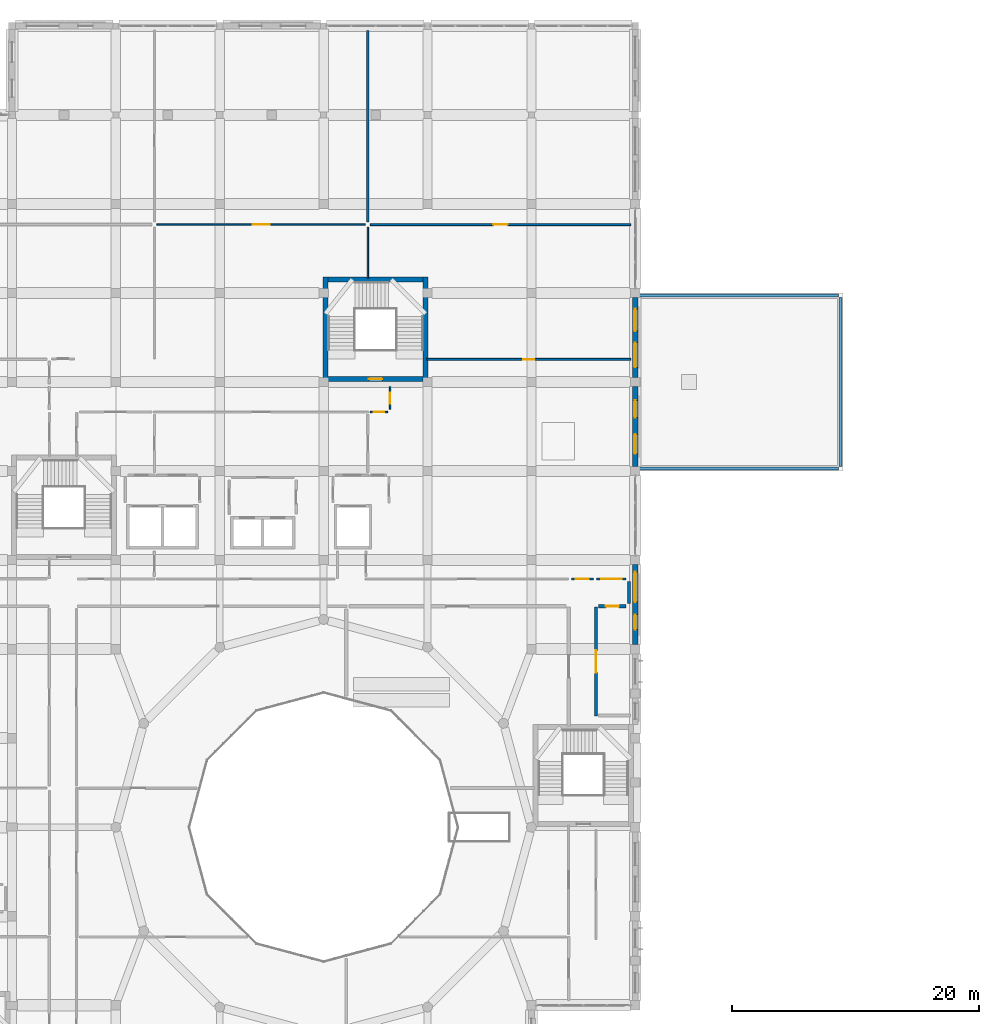
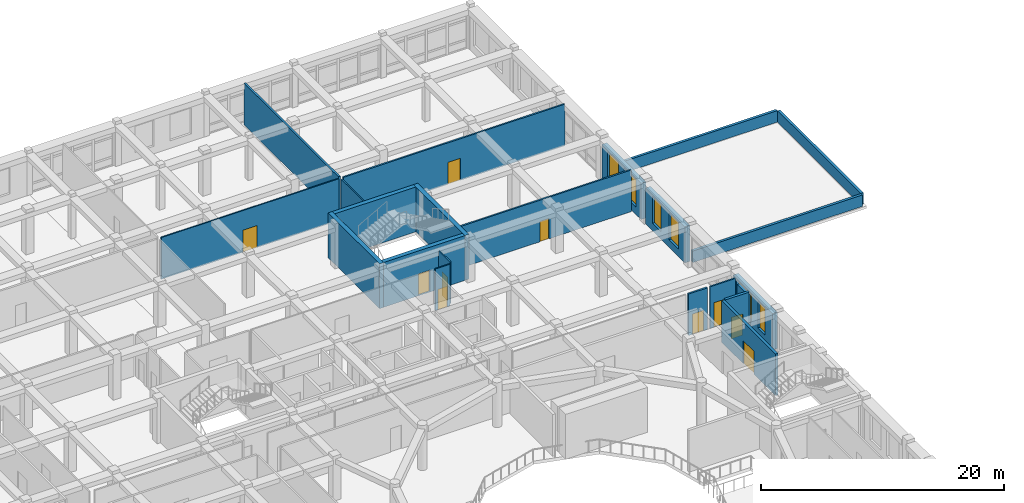
# One storey, part 84 of 121: 22 walls, 10 doors, 6 windows, 16 openings.
"""IFC4 building model written with IfcOpenShell, lengths in metres."""

from ifc_helpers import new_model, si_unit, derived_unit, direction, frame, frame_2d, origin, place, context, subcontext, project, spatial, rectangle, extrude, material, layer, layer_set, type_object, element, fill, save


model = new_model("IFC4")

# Units and contexts
model_context = context("Model", 3, precision=1e-05, world=origin(), true_north=direction((0.0, 1.0)))
body_context = subcontext(model_context, "Body", "Model", "MODEL_VIEW")
ifc_project = project(units=[si_unit("LENGTHUNIT", "METRE"), si_unit("AREAUNIT", "SQUARE_METRE"), si_unit("VOLUMEUNIT", "CUBIC_METRE"), si_unit("PLANEANGLEUNIT", "RADIAN"), si_unit("MASSUNIT", "GRAM", prefix="KILO"), derived_unit("THERMALTRANSMITTANCEUNIT", [(si_unit("POWERUNIT", "WATT"), 1), (si_unit("LENGTHUNIT", "METRE"), -2), (si_unit("THERMODYNAMICTEMPERATUREUNIT", "KELVIN"), -1)])], contexts=[model_context])

# Site, building, storey
site_placement = place(None, origin())
site = spatial("IfcSite", under=ifc_project, at=site_placement, CompositionType="ELEMENT")
building_placement = place(site_placement, origin())
building = spatial("IfcBuilding", under=site, at=building_placement, Name="Veybourne Emporium", CompositionType="ELEMENT")
storey_placement = place(building_placement, frame((0.0, 0.0, 5.39990234375)))
storey = spatial("IfcBuildingStorey", under=building, at=storey_placement, Name="L01", CompositionType="ELEMENT", Elevation=5.39990234375)

# Wall, openings, windows
ifc_material_1 = material(Name="Portland Limestone Ashlar", Category="masonry")
ifc_layer_1 = layer(ifc_material_1, 0.47998046875)
ifc_layer_set_1 = layer_set([ifc_layer_1], Name="Portland Limestone Ashlar")
wall_type_1 = type_object("IfcWallType", Name="ExtWall_EW-01", PredefinedType="SOLIDWALL", material=ifc_layer_set_1)
wall_1_placement = place(storey_placement, frame((100.800048828125, 71.625, 0.0), z_axis=(0.0, 0.0, 1.0), x_axis=(0.0, -1.0, 0.0)))
wall_1 = element("IfcWall", 1, at=wall_1_placement, inside=storey, type_object=wall_type_1, Name="L01 Portland stone external wall 053", PredefinedType="SOLIDWALL", context=body_context, shape_type="SweptSolid", body=[
    extrude(rectangle(XDim=6.449951171875, YDim=0.47998046875, at=frame_2d((3.22509765625, 0.0))), origin(), (0.0, 0.0, 1.0), 3.630126953125),
])
opening_1_placement = place(wall_1_placement, frame((0.5810546875, 0.0, 0.75)))
opening_1 = element("IfcOpeningElement", 2, at=opening_1_placement, cuts=wall_1, Name="Opening W-48", PredefinedType="OPENING", context=body_context, shape_type="SweptSolid", body=[
    extrude(rectangle(XDim=2.449951171875, YDim=2.72998046875, at=frame_2d((1.22509765625, 1.364990234375))), frame((0.0, 0.260009765625, 0.0), z_axis=(0.0, -1.0, 0.0), x_axis=(1.0, 0.0, 0.0)), (0.0, 0.0, 1.0), 0.52001953125),
])
opening_2_placement = place(wall_1_placement, frame((4.0439453125, 0.0, 0.75)))
opening_2 = element("IfcOpeningElement", 3, at=opening_2_placement, cuts=wall_1, Name="Opening W-49", PredefinedType="OPENING", context=body_context, shape_type="SweptSolid", body=[
    extrude(rectangle(XDim=1.199951171875, YDim=2.72998046875, at=frame_2d((0.60009765625, 1.364990234375))), frame((0.0, 0.260009765625, 0.0), z_axis=(0.0, -1.0, 0.0), x_axis=(1.0, 0.0, 0.0)), (0.0, 0.0, 1.0), 0.52001953125),
])
ifc_material_2 = material(Name="Low-E Triple Glazing", Category="glass")
window_type_1 = type_object("IfcWindowType", Name="Win_W-48", PartitioningType="TRIPLE_PANEL_VERTICAL", PredefinedType="WINDOW", material=ifc_material_2)
window_1_placement = place(opening_1_placement, origin())
window_1 = element("IfcWindow", 4, at=window_1_placement, inside=storey, type_object=window_type_1, Name="L01 tripartite bronze casement window W-48 (53.1)", OverallHeight=2.72998046875, OverallWidth=2.449951171875, PartitioningType="TRIPLE_PANEL_VERTICAL", PredefinedType="WINDOW", context=body_context, shape_type="SweptSolid", body=[
    extrude(rectangle(XDim=2.449951171875, YDim=2.72998046875, at=frame_2d((1.22509765625, 1.364990234375))), frame((0.0, 0.030029296875, 0.0), z_axis=(0.0, -1.0, 0.0), x_axis=(1.0, 0.0, 0.0)), (0.0, 0.0, 1.0), 0.06005859375),
])
fill(opening_1, window_1)
window_type_2 = type_object("IfcWindowType", Name="Win_W-49", PartitioningType="SINGLE_PANEL", PredefinedType="WINDOW", material=ifc_material_2)
window_2_placement = place(opening_2_placement, origin())
window_2 = element("IfcWindow", 5, at=window_2_placement, inside=storey, type_object=window_type_2, Name="L01 tripartite bronze casement window W-49 (53.2)", OverallHeight=2.72998046875, OverallWidth=1.199951171875, PartitioningType="SINGLE_PANEL", PredefinedType="WINDOW", context=body_context, shape_type="SweptSolid", body=[
    extrude(rectangle(XDim=1.199951171875, YDim=2.72998046875, at=frame_2d((0.60009765625, 1.364990234375))), frame((0.0, 0.030029296875, 0.0), z_axis=(0.0, -1.0, 0.0), x_axis=(1.0, 0.0, 0.0)), (0.0, 0.0, 1.0), 0.06005859375),
])
fill(opening_2, window_2)

wall_2_placement = place(storey_placement, frame((100.800048828125, 86.02490234375, 0.0), z_axis=(0.0, 0.0, 1.0), x_axis=(0.0, -1.0, 0.0)))
wall_2 = element("IfcWall", 6, at=wall_2_placement, inside=storey, type_object=wall_type_1, Name="L01 Portland stone external wall 055", PredefinedType="SOLIDWALL", context=body_context, shape_type="SweptSolid", body=[
    extrude(rectangle(XDim=6.449951171875, YDim=0.47998046875, at=frame_2d((3.22509765625, 0.0))), origin(), (0.0, 0.0, 1.0), 3.630126953125),
])
opening_3_placement = place(wall_2_placement, frame((1.10595703125, 0.0, 0.75)))
opening_3 = element("IfcOpeningElement", 7, at=opening_3_placement, cuts=wall_2, Name="Opening W-50", PredefinedType="OPENING", context=body_context, shape_type="SweptSolid", body=[
    extrude(rectangle(XDim=1.39990234375, YDim=2.72998046875, at=frame_2d((0.699951171875, 1.364990234375))), frame((0.0, 0.260009765625, 0.0), z_axis=(0.0, -1.0, 0.0), x_axis=(1.0, 0.0, 0.0)), (0.0, 0.0, 1.0), 0.52001953125),
])
opening_4_placement = place(wall_2_placement, frame((3.843994140625, 0.0, 0.75)))
opening_4 = element("IfcOpeningElement", 8, at=opening_4_placement, cuts=wall_2, Name="Opening W-51", PredefinedType="OPENING", context=body_context, shape_type="SweptSolid", body=[
    extrude(rectangle(XDim=1.60009765625, YDim=2.72998046875, at=frame_2d((0.800048828125, 1.364990234375))), frame((0.0, 0.260009765625, 0.0), z_axis=(0.0, -1.0, 0.0), x_axis=(1.0, 0.0, 0.0)), (0.0, 0.0, 1.0), 0.52001953125),
])
window_type_3 = type_object("IfcWindowType", Name="Win_W-50", PartitioningType="DOUBLE_PANEL_VERTICAL", PredefinedType="WINDOW", material=ifc_material_2)
window_3_placement = place(opening_3_placement, origin())
window_3 = element("IfcWindow", 9, at=window_3_placement, inside=storey, type_object=window_type_3, Name="L01 tripartite bronze casement window W-50 (55.1)", OverallHeight=2.72998046875, OverallWidth=1.39990234375, PartitioningType="DOUBLE_PANEL_VERTICAL", PredefinedType="WINDOW", context=body_context, shape_type="SweptSolid", body=[
    extrude(rectangle(XDim=1.39990234375, YDim=2.72998046875, at=frame_2d((0.699951171875, 1.364990234375))), frame((0.0, 0.030029296875, 0.0), z_axis=(0.0, -1.0, 0.0), x_axis=(1.0, 0.0, 0.0)), (0.0, 0.0, 1.0), 0.06005859375),
])
fill(opening_3, window_3)
window_type_4 = type_object("IfcWindowType", Name="Win_W-51", PartitioningType="DOUBLE_PANEL_VERTICAL", PredefinedType="WINDOW", material=ifc_material_2)
window_4_placement = place(opening_4_placement, origin())
window_4 = element("IfcWindow", 10, at=window_4_placement, inside=storey, type_object=window_type_4, Name="L01 tripartite bronze casement window W-51 (55.2)", OverallHeight=2.72998046875, OverallWidth=1.60009765625, PartitioningType="DOUBLE_PANEL_VERTICAL", PredefinedType="WINDOW", context=body_context, shape_type="SweptSolid", body=[
    extrude(rectangle(XDim=1.60009765625, YDim=2.72998046875, at=frame_2d((0.800048828125, 1.364990234375))), frame((0.0, 0.030029296875, 0.0), z_axis=(0.0, -1.0, 0.0), x_axis=(1.0, 0.0, 0.0)), (0.0, 0.0, 1.0), 0.06005859375),
])
fill(opening_4, window_4)

wall_3_placement = place(storey_placement, frame((100.800048828125, 93.22509765625, 0.0), z_axis=(0.0, 0.0, 1.0), x_axis=(0.0, -1.0, 0.0)))
wall_3 = element("IfcWall", 11, at=wall_3_placement, inside=storey, type_object=wall_type_1, Name="L01 Portland stone external wall 056", PredefinedType="SOLIDWALL", context=body_context, shape_type="SweptSolid", body=[
    extrude(rectangle(XDim=6.4501953125, YDim=0.47998046875, at=frame_2d((3.22509765625, 0.0))), origin(), (0.0, 0.0, 1.0), 3.630126953125),
])
opening_5_placement = place(wall_3_placement, frame((0.906005859375, 0.0, 0.75)))
opening_5 = element("IfcOpeningElement", 12, at=opening_5_placement, cuts=wall_3, Name="Opening W-52", PredefinedType="OPENING", context=body_context, shape_type="SweptSolid", body=[
    extrude(rectangle(XDim=1.800048828125, YDim=2.72998046875, at=frame_2d((0.89990234375, 1.364990234375))), frame((0.0, 0.260009765625, 0.0), z_axis=(0.0, -1.0, 0.0), x_axis=(1.0, 0.0, 0.0)), (0.0, 0.0, 1.0), 0.52001953125),
])
opening_6_placement = place(wall_3_placement, frame((3.64404296875, 0.0, 0.75)))
opening_6 = element("IfcOpeningElement", 13, at=opening_6_placement, cuts=wall_3, Name="Opening W-53", PredefinedType="OPENING", context=body_context, shape_type="SweptSolid", body=[
    extrude(rectangle(XDim=2.0, YDim=2.72998046875, at=frame_2d((1.0, 1.364990234375))), frame((0.0, 0.260009765625, 0.0), z_axis=(0.0, -1.0, 0.0), x_axis=(1.0, 0.0, 0.0)), (0.0, 0.0, 1.0), 0.52001953125),
])
window_type_5 = type_object("IfcWindowType", Name="Win_W-52", PartitioningType="DOUBLE_PANEL_VERTICAL", PredefinedType="WINDOW", material=ifc_material_2)
window_5_placement = place(opening_5_placement, origin())
window_5 = element("IfcWindow", 14, at=window_5_placement, inside=storey, type_object=window_type_5, Name="L01 tripartite bronze casement window W-52 (56.1)", OverallHeight=2.72998046875, OverallWidth=1.800048828125, PartitioningType="DOUBLE_PANEL_VERTICAL", PredefinedType="WINDOW", context=body_context, shape_type="SweptSolid", body=[
    extrude(rectangle(XDim=1.800048828125, YDim=2.72998046875, at=frame_2d((0.89990234375, 1.364990234375))), frame((0.0, 0.030029296875, 0.0), z_axis=(0.0, -1.0, 0.0), x_axis=(1.0, 0.0, 0.0)), (0.0, 0.0, 1.0), 0.06005859375),
])
fill(opening_5, window_5)
window_type_6 = type_object("IfcWindowType", Name="Win_W-53", PartitioningType="TRIPLE_PANEL_VERTICAL", PredefinedType="WINDOW", material=ifc_material_2)
window_6_placement = place(opening_6_placement, origin())
window_6 = element("IfcWindow", 15, at=window_6_placement, inside=storey, type_object=window_type_6, Name="L01 tripartite bronze casement window W-53 (56.2)", OverallHeight=2.72998046875, OverallWidth=2.0, PartitioningType="TRIPLE_PANEL_VERTICAL", PredefinedType="WINDOW", context=body_context, shape_type="SweptSolid", body=[
    extrude(rectangle(XDim=2.0, YDim=2.72998046875, at=frame_2d((1.0, 1.364990234375))), frame((0.0, 0.030029296875, 0.0), z_axis=(0.0, -1.0, 0.0), x_axis=(1.0, 0.0, 0.0)), (0.0, 0.0, 1.0), 0.06005859375),
])
fill(opening_6, window_6)

# Walls
ifc_material_3 = material(Name="Precast concrete C40/50", Category="concrete")
ifc_layer_2 = layer(ifc_material_3, 0.239990234375)
ifc_layer_set_2 = layer_set([ifc_layer_2], Name="Precast concrete C40/50")
wall_type_2 = type_object("IfcWallType", Name="ExtWall_PW-02", PredefinedType="PARAPET", material=ifc_layer_set_2)
wall_4_placement = place(storey_placement, frame((101.14990234375, 93.3798828125, 0.0), z_axis=(0.0, 0.0, 1.0), x_axis=(1.0, 0.0, 0.0)))
element("IfcWall", 16, at=wall_4_placement, inside=storey, type_object=wall_type_2, Name="L01 roof parapet wall 001", PredefinedType="PARAPET", context=body_context, shape_type="SweptSolid", body=[
    extrude(rectangle(XDim=16.10009765625, YDim=0.239990234375, at=frame_2d((8.050048828125, 0.0))), origin(), (0.0, 0.0, 1.0), 1.150146484375),
])
wall_5_placement = place(storey_placement, frame((117.3798828125, 93.25, 0.0), z_axis=(0.0, 0.0, 1.0), x_axis=(0.0, -1.0, 0.0)))
element("IfcWall", 17, at=wall_5_placement, inside=storey, type_object=wall_type_2, Name="L01 roof parapet wall 002", PredefinedType="PARAPET", context=body_context, shape_type="SweptSolid", body=[
    extrude(rectangle(XDim=13.699951171875, YDim=0.239990234375, at=frame_2d((6.85009765625, 0.0))), origin(), (0.0, 0.0, 1.0), 1.150146484375),
])
wall_6_placement = place(storey_placement, frame((117.25, 79.419921875, 0.0), z_axis=(0.0, 0.0, 1.0), x_axis=(-1.0, 0.0, 0.0)))
element("IfcWall", 18, at=wall_6_placement, inside=storey, type_object=wall_type_2, Name="L01 roof parapet wall 003", PredefinedType="PARAPET", context=body_context, shape_type="SweptSolid", body=[
    extrude(rectangle(XDim=16.10009765625, YDim=0.239990234375, at=frame_2d((8.050048828125, 0.0))), origin(), (0.0, 0.0, 1.0), 1.150146484375),
])

# Wall, opening, door
ifc_material_4 = material(Name="Concrete C40/50", Category="concrete")
ifc_layer_3 = layer(ifc_material_4, 0.39990234375)
ifc_layer_set_3 = layer_set([ifc_layer_3], Name="Concrete C40/50")
wall_type_3 = type_object("IfcWallType", Name="IntWall_CW-01", PredefinedType="SHEAR", material=ifc_layer_set_3)
wall_7_placement = place(storey_placement, frame((83.64990234375, 86.64990234375, 0.0), z_axis=(0.0, 0.0, 1.0), x_axis=(-1.0, 0.0, 0.0)))
wall_7 = element("IfcWall", 19, at=wall_7_placement, inside=storey, type_object=wall_type_3, Name="Core stair ST-04 south shear wall (L01)", PredefinedType="SHEAR", context=body_context, shape_type="SweptSolid", body=[
    extrude(rectangle(XDim=7.699951171875, YDim=0.39990234375, at=frame_2d((3.85009765625, 0.0))), origin(), (0.0, 0.0, 1.0), 4.5),
])
opening_7_placement = place(wall_7_placement, frame((3.300048828125, 0.0, 0.0)))
opening_7 = element("IfcOpeningElement", 20, at=opening_7_placement, cuts=wall_7, Name="Opening FD-01", PredefinedType="OPENING", context=body_context, shape_type="SweptSolid", body=[
    extrude(rectangle(XDim=1.10009765625, YDim=2.199951171875, at=frame_2d((0.550048828125, 1.10009765625))), frame((0.0, 0.219970703125, 0.0), z_axis=(0.0, -1.0, 0.0), x_axis=(1.0, 0.0, 0.0)), (0.0, 0.0, 1.0), 0.43994140625),
])
ifc_material_5 = material(Name="Patinated Architectural Bronze", Category="bronze")
door_type_1 = type_object("IfcDoorType", Name="FireDoor_FD-01", OperationType="NOTDEFINED", PredefinedType="DOOR", material=ifc_material_5)
door_1_placement = place(opening_7_placement, origin())
door_1 = element("IfcDoor", 21, at=door_1_placement, inside=storey, type_object=door_type_1, Name="Stair ST-04 fire door (L01)", OperationType="SINGLE_SWING_LEFT", OverallHeight=2.199951171875, OverallWidth=1.10009765625, PredefinedType="DOOR", context=body_context, shape_type="SweptSolid", body=[
    extrude(rectangle(XDim=1.10009765625, YDim=2.199951171875, at=frame_2d((0.550048828125, 1.10009765625))), frame((0.0, 0.02490234375, 0.0), z_axis=(0.0, -1.0, 0.0), x_axis=(1.0, 0.0, 0.0)), (0.0, 0.0, 1.0), 0.050048828125),
])
fill(opening_7, door_1)

# Walls
wall_8_placement = place(storey_placement, frame((75.949951171875, 94.699951171875, 0.0), z_axis=(0.0, 0.0, 1.0), x_axis=(1.0, 0.0, 0.0)))
element("IfcWall", 22, at=wall_8_placement, inside=storey, type_object=wall_type_3, Name="Core stair ST-04 north shear wall (L01)", PredefinedType="SHEAR", context=body_context, shape_type="SweptSolid", body=[
    extrude(rectangle(XDim=7.699951171875, YDim=0.39990234375, at=frame_2d((3.85009765625, 0.0))), origin(), (0.0, 0.0, 1.0), 4.5),
])
for number, where, z_axis, x_axis, name in (
    (23, (75.75, 94.89990234375, 0.0), (0.0, 0.0, 1.0), (0.0, -1.0, 0.0), "Core stair ST-04 west shear wall (L01)"),
    (24, (83.85009765625, 86.449951171875, 0.0), (0.0, 0.0, 1.0), (0.0, 1.0, 0.0), "Core stair ST-04 east shear wall (L01)"),
):
    element("IfcWall", number, at=place(storey_placement, frame(where, z_axis=z_axis, x_axis=x_axis)), inside=storey, type_object=wall_type_3, Name=name, PredefinedType="SHEAR", context=body_context, shape_type="SweptSolid", body=[
        extrude(rectangle(XDim=8.449951171875, YDim=0.39990234375, at=frame_2d((4.22509765625, 0.0))), origin(), (0.0, 0.0, 1.0), 4.5),
    ])

# Wall, opening, door
ifc_material_6 = material(Name="Concrete C32/40", Category="concrete")
ifc_layer_4 = layer(ifc_material_6, 0.25)
ifc_layer_set_4 = layer_set([ifc_layer_4], Name="Concrete C32/40")
wall_type_4 = type_object("IfcWallType", Name="IntWall_FW-01", PredefinedType="SOLIDWALL", material=ifc_layer_set_4)
wall_9_placement = place(storey_placement, frame((97.6298828125, 59.3798828125, 0.0), z_axis=(0.0, 0.0, 1.0), x_axis=(0.0, 1.0, 0.0)))
wall_9 = element("IfcWall", 25, at=wall_9_placement, inside=storey, type_object=wall_type_4, Name="L01 interior partition FW-01 #074", PredefinedType="SOLIDWALL", context=body_context, shape_type="SweptSolid", body=[
    extrude(rectangle(XDim=8.840087890625, YDim=0.25, at=frame_2d((4.419921875, 0.0))), origin(), (0.0, 0.0, 1.0), 4.18017578125),
])
opening_8_placement = place(wall_9_placement, frame((3.52001953125, 0.0, 0.0)))
opening_8 = element("IfcOpeningElement", 26, at=opening_8_placement, cuts=wall_9, Name="Opening FD-03", PredefinedType="OPENING", context=body_context, shape_type="SweptSolid", body=[
    extrude(rectangle(XDim=1.800048828125, YDim=2.300048828125, at=frame_2d((0.89990234375, 1.14990234375))), frame((0.0, 0.14501953125, 0.0), z_axis=(0.0, -1.0, 0.0), x_axis=(1.0, 0.0, 0.0)), (0.0, 0.0, 1.0), 0.2900390625),
])
door_type_2 = type_object("IfcDoorType", Name="FireDoor_FD-03", OperationType="DOUBLE_DOOR_SINGLE_SWING", PredefinedType="DOOR", material=ifc_material_5)
door_2_placement = place(opening_8_placement, origin())
door_2 = element("IfcDoor", 27, at=door_2_placement, inside=storey, type_object=door_type_2, Name="L01 interior door FD-03 (PART-L01-074)", OperationType="DOUBLE_DOOR_SINGLE_SWING", OverallHeight=2.300048828125, OverallWidth=1.800048828125, PredefinedType="DOOR", context=body_context, shape_type="SweptSolid", body=[
    extrude(rectangle(XDim=1.800048828125, YDim=2.300048828125, at=frame_2d((0.89990234375, 1.14990234375))), frame((0.0, 0.02490234375, 0.0), z_axis=(0.0, -1.0, 0.0), x_axis=(1.0, 0.0, 0.0)), (0.0, 0.0, 1.0), 0.050048828125),
])
fill(opening_8, door_2)

wall_10_placement = place(storey_placement, frame((97.840087890625, 68.27001953125, 0.0), z_axis=(0.0, 0.0, 1.0), x_axis=(1.0, 0.0, 0.0)))
wall_10 = element("IfcWall", 28, at=wall_10_placement, inside=storey, type_object=wall_type_4, Name="L01 interior partition FW-01 #124", PredefinedType="SOLIDWALL", context=body_context, shape_type="SweptSolid", body=[
    extrude(rectangle(XDim=2.22998046875, YDim=0.25, at=frame_2d((1.114990234375, 0.0))), origin(), (0.0, 0.0, 1.0), 4.18017578125),
])
opening_9_placement = place(wall_10_placement, frame((0.590087890625, 0.0, 0.0)))
opening_9 = element("IfcOpeningElement", 29, at=opening_9_placement, cuts=wall_10, Name="Opening FD-02", PredefinedType="OPENING", context=body_context, shape_type="SweptSolid", body=[
    extrude(rectangle(XDim=1.050048828125, YDim=2.14990234375, at=frame_2d((0.52490234375, 1.074951171875))), frame((0.0, 0.14501953125, 0.0), z_axis=(0.0, -1.0, 0.0), x_axis=(1.0, 0.0, 0.0)), (0.0, 0.0, 1.0), 0.2900390625),
])
door_type_3 = type_object("IfcDoorType", Name="FireDoor_FD-02", OperationType="NOTDEFINED", PredefinedType="DOOR", material=ifc_material_5)
door_3_placement = place(opening_9_placement, origin())
door_3 = element("IfcDoor", 30, at=door_3_placement, inside=storey, type_object=door_type_3, Name="L01 interior door FD-02 (PART-L01-124)", OperationType="SINGLE_SWING_RIGHT", OverallHeight=2.14990234375, OverallWidth=1.050048828125, PredefinedType="DOOR", context=body_context, shape_type="SweptSolid", body=[
    extrude(rectangle(XDim=1.050048828125, YDim=2.14990234375, at=frame_2d((0.52490234375, 1.074951171875))), frame((0.0, 0.02490234375, 0.0), z_axis=(0.0, -1.0, 0.0), x_axis=(1.0, 0.0, 0.0)), (0.0, 0.0, 1.0), 0.050048828125),
])
fill(opening_9, door_3)

# Wall
wall_11_placement = place(storey_placement, frame((100.280029296875, 68.47998046875, 0.0), z_axis=(0.0, 0.0, 1.0), x_axis=(0.0, 1.0, 0.0)))
element("IfcWall", 31, at=wall_11_placement, inside=storey, type_object=wall_type_4, Name="L01 interior partition FW-01 #147", PredefinedType="SOLIDWALL", context=body_context, shape_type="SweptSolid", body=[
    extrude(rectangle(XDim=1.7900390625, YDim=0.25, at=frame_2d((0.89501953125, 0.0))), origin(), (0.0, 0.0, 1.0), 3.630126953125),
])

# Wall, opening, door
ifc_material_7 = material(Name="Gypsum Acoustic Board", Category="gypsum")
ifc_layer_5 = layer(ifc_material_7, 0.179931640625)
ifc_layer_set_5 = layer_set([ifc_layer_5], Name="Gypsum Acoustic Board")
wall_type_5 = type_object("IfcWallType", Name="IntWall_IW-01", PredefinedType="PARTITIONING", material=ifc_layer_set_5)
wall_12_placement = place(storey_placement, frame((95.6298828125, 70.47998046875, 0.0), z_axis=(0.0, 0.0, 1.0), x_axis=(1.0, 0.0, 0.0)))
wall_12 = element("IfcWall", 32, at=wall_12_placement, inside=storey, type_object=wall_type_5, Name="L01 interior partition IW-01 #157", PredefinedType="PARTITIONING", context=body_context, shape_type="SweptSolid", body=[
    extrude(rectangle(XDim=1.7900390625, YDim=0.179931640625, at=frame_2d((0.89501953125, 0.0))), origin(), (0.0, 0.0, 1.0), 4.18017578125),
])
opening_10_placement = place(wall_12_placement, frame((0.375, 0.0, 0.0)))
opening_10 = element("IfcOpeningElement", 33, at=opening_10_placement, cuts=wall_12, Name="Opening D-02", PredefinedType="OPENING", context=body_context, shape_type="SweptSolid", body=[
    extrude(rectangle(XDim=1.0400390625, YDim=2.050048828125, at=frame_2d((0.52001953125, 1.02490234375))), frame((0.0, 0.10986328125, 0.0), z_axis=(0.0, -1.0, 0.0), x_axis=(1.0, 0.0, 0.0)), (0.0, 0.0, 1.0), 0.219970703125),
])
ifc_material_8 = material(Name="European Oak Veneer and Bronze", Category="wood")
door_type_4 = type_object("IfcDoorType", Name="IntDoor_D-02", OperationType="NOTDEFINED", PredefinedType="DOOR", material=ifc_material_8)
door_4_placement = place(opening_10_placement, origin())
door_4 = element("IfcDoor", 34, at=door_4_placement, inside=storey, type_object=door_type_4, Name="L01 interior door D-02 (PART-L01-157)", OperationType="SINGLE_SWING_RIGHT", OverallHeight=2.050048828125, OverallWidth=1.0400390625, PredefinedType="DOOR", context=body_context, shape_type="SweptSolid", body=[
    extrude(rectangle(XDim=1.0400390625, YDim=2.050048828125, at=frame_2d((0.52001953125, 1.02490234375))), frame((0.0, 0.02490234375, 0.0), z_axis=(0.0, -1.0, 0.0), x_axis=(1.0, 0.0, 0.0)), (0.0, 0.0, 1.0), 0.050048828125),
])
fill(opening_10, door_4)

# Wall
wall_13_placement = place(storey_placement, frame((79.176025390625, 99.340087890625, 0.0), z_axis=(0.0, 0.0, 1.0), x_axis=(0.0, 1.0, 0.0)))
element("IfcWall", 35, at=wall_13_placement, inside=storey, type_object=wall_type_5, Name="L01 interior partition IW-01 #175", PredefinedType="PARTITIONING", context=body_context, shape_type="SweptSolid", body=[
    extrude(rectangle(XDim=15.489990234375, YDim=0.179931640625, at=frame_2d((7.7451171875, 0.0))), origin(), (0.0, 0.0, 1.0), 4.18017578125),
])

# Wall, opening, door
ifc_layer_6 = layer(ifc_material_7, 0.14990234375)
ifc_layer_set_6 = layer_set([ifc_layer_6], Name="Gypsum Acoustic Board")
wall_type_6 = type_object("IfcWallType", Name="IntWall_IW-02", PredefinedType="PARTITIONING", material=ifc_layer_set_6)
wall_14_placement = place(storey_placement, frame((97.679931640625, 70.47998046875, 0.0), z_axis=(0.0, 0.0, 1.0), x_axis=(1.0, 0.0, 0.0)))
wall_14 = element("IfcWall", 36, at=wall_14_placement, inside=storey, type_object=wall_type_6, Name="L01 interior partition IW-02 #119", PredefinedType="PARTITIONING", context=body_context, shape_type="SweptSolid", body=[
    extrude(rectangle(XDim=2.39013671875, YDim=0.14990234375, at=frame_2d((1.195068359375, 0.0))), origin(), (0.0, 0.0, 1.0), 4.18017578125),
])
opening_11_placement = place(wall_14_placement, frame((0.35498046875, 0.0, 0.0)))
opening_11 = element("IfcOpeningElement", 37, at=opening_11_placement, cuts=wall_14, Name="Opening D-36", PredefinedType="OPENING", context=body_context, shape_type="SweptSolid", body=[
    extrude(rectangle(XDim=1.679931640625, YDim=2.449951171875, at=frame_2d((0.83984375, 1.22509765625))), frame((0.0, 0.094970703125, 0.0), z_axis=(0.0, -1.0, 0.0), x_axis=(1.0, 0.0, 0.0)), (0.0, 0.0, 1.0), 0.18994140625),
])
door_type_5 = type_object("IfcDoorType", Name="IntDoor_D-36", OperationType="DOUBLE_DOOR_SINGLE_SWING", PredefinedType="DOOR", material=ifc_material_8)
door_5_placement = place(opening_11_placement, origin())
door_5 = element("IfcDoor", 38, at=door_5_placement, inside=storey, type_object=door_type_5, Name="L01 interior door D-36 (PART-L01-119)", OperationType="DOUBLE_DOOR_SINGLE_SWING", OverallHeight=2.449951171875, OverallWidth=1.679931640625, PredefinedType="DOOR", context=body_context, shape_type="SweptSolid", body=[
    extrude(rectangle(XDim=1.679931640625, YDim=2.449951171875, at=frame_2d((0.83984375, 1.22509765625))), frame((0.0, 0.02490234375, 0.0), z_axis=(0.0, -1.0, 0.0), x_axis=(1.0, 0.0, 0.0)), (0.0, 0.0, 1.0), 0.050048828125),
])
fill(opening_11, door_5)

wall_15_placement = place(storey_placement, frame((79.385986328125, 99.1298828125, 0.0), z_axis=(0.0, 0.0, 1.0), x_axis=(1.0, 0.0, 0.0)))
wall_15 = element("IfcWall", 39, at=wall_15_placement, inside=storey, type_object=wall_type_6, Name="L01 interior partition IW-02 #170", PredefinedType="PARTITIONING", context=body_context, shape_type="SweptSolid", body=[
    extrude(rectangle(XDim=21.0439453125, YDim=0.14990234375, at=frame_2d((10.52197265625, 0.0))), origin(), (0.0, 0.0, 1.0), 4.18017578125),
])
opening_12_placement = place(wall_15_placement, frame((9.922119140625, 0.0, 0.0)))
opening_12 = element("IfcOpeningElement", 40, at=opening_12_placement, cuts=wall_15, Name="Opening D-15", PredefinedType="OPENING", context=body_context, shape_type="SweptSolid", body=[
    extrude(rectangle(XDim=1.199951171875, YDim=2.2099609375, at=frame_2d((0.60009765625, 1.10498046875))), frame((0.0, 0.094970703125, 0.0), z_axis=(0.0, -1.0, 0.0), x_axis=(1.0, 0.0, 0.0)), (0.0, 0.0, 1.0), 0.18994140625),
])
door_type_6 = type_object("IfcDoorType", Name="IntDoor_D-15", OperationType="NOTDEFINED", PredefinedType="DOOR", material=ifc_material_8)
door_6_placement = place(opening_12_placement, origin())
door_6 = element("IfcDoor", 41, at=door_6_placement, inside=storey, type_object=door_type_6, Name="L01 interior door D-15 (PART-L01-170)", OperationType="SINGLE_SWING_RIGHT", OverallHeight=2.2099609375, OverallWidth=1.199951171875, PredefinedType="DOOR", context=body_context, shape_type="SweptSolid", body=[
    extrude(rectangle(XDim=1.199951171875, YDim=2.2099609375, at=frame_2d((0.60009765625, 1.10498046875))), frame((0.0, 0.02490234375, 0.0), z_axis=(0.0, -1.0, 0.0), x_axis=(1.0, 0.0, 0.0)), (0.0, 0.0, 1.0), 0.050048828125),
])
fill(opening_12, door_6)

wall_16_placement = place(storey_placement, frame((83.93994140625, 88.22998046875, 0.0), z_axis=(0.0, 0.0, 1.0), x_axis=(1.0, 0.0, 0.0)))
wall_16 = element("IfcWall", 42, at=wall_16_placement, inside=storey, type_object=wall_type_6, Name="L01 interior partition IW-02 #173", PredefinedType="PARTITIONING", context=body_context, shape_type="SweptSolid", body=[
    extrude(rectangle(XDim=16.489990234375, YDim=0.14990234375, at=frame_2d((8.2451171875, 0.0))), origin(), (0.0, 0.0, 1.0), 4.18017578125),
])
opening_13_placement = place(wall_16_placement, frame((7.804931640625, 0.0, 0.0)))
opening_13 = element("IfcOpeningElement", 43, at=opening_13_placement, cuts=wall_16, Name="Opening D-01", PredefinedType="OPENING", context=body_context, shape_type="SweptSolid", body=[
    extrude(rectangle(XDim=0.8798828125, YDim=2.050048828125, at=frame_2d((0.43994140625, 1.02490234375))), frame((0.0, 0.094970703125, 0.0), z_axis=(0.0, -1.0, 0.0), x_axis=(1.0, 0.0, 0.0)), (0.0, 0.0, 1.0), 0.18994140625),
])
door_type_7 = type_object("IfcDoorType", Name="IntDoor_D-01", OperationType="NOTDEFINED", PredefinedType="DOOR", material=ifc_material_8)
door_7_placement = place(opening_13_placement, origin())
door_7 = element("IfcDoor", 44, at=door_7_placement, inside=storey, type_object=door_type_7, Name="L01 interior door D-01 (PART-L01-173)", OperationType="SINGLE_SWING_LEFT", OverallHeight=2.050048828125, OverallWidth=0.8798828125, PredefinedType="DOOR", context=body_context, shape_type="SweptSolid", body=[
    extrude(rectangle(XDim=0.8798828125, YDim=2.050048828125, at=frame_2d((0.43994140625, 1.02490234375))), frame((0.0, 0.02490234375, 0.0), z_axis=(0.0, -1.0, 0.0), x_axis=(1.0, 0.0, 0.0)), (0.0, 0.0, 1.0), 0.050048828125),
])
fill(opening_13, door_7)

ifc_layer_7 = layer(ifc_material_7, 0.1201171875)
ifc_layer_set_7 = layer_set([ifc_layer_7], Name="Gypsum Acoustic Board")
wall_type_7 = type_object("IfcWallType", Name="IntWall_IW-03", PredefinedType="PARTITIONING", material=ifc_layer_set_7)
wall_17_placement = place(storey_placement, frame((80.97998046875, 84.179931640625, 0.0), z_axis=(0.0, 0.0, 1.0), x_axis=(0.0, 1.0, 0.0)))
wall_17 = element("IfcWall", 45, at=wall_17_placement, inside=storey, type_object=wall_type_7, Name="L01 interior partition IW-03 #144", PredefinedType="PARTITIONING", context=body_context, shape_type="SweptSolid", body=[
    extrude(rectangle(XDim=1.840087890625, YDim=0.1201171875, at=frame_2d((0.919921875, 0.0))), origin(), (0.0, 0.0, 1.0), 4.18017578125),
])
opening_14_placement = place(wall_17_placement, frame((0.47998046875, 0.0, 0.0)))
opening_14 = element("IfcOpeningElement", 46, at=opening_14_placement, cuts=wall_17, Name="Opening D-25", PredefinedType="OPENING", context=body_context, shape_type="SweptSolid", body=[
    extrude(rectangle(XDim=0.8798828125, YDim=2.3701171875, at=frame_2d((0.43994140625, 1.18505859375))), frame((0.0, 0.080078125, 0.0), z_axis=(0.0, -1.0, 0.0), x_axis=(1.0, 0.0, 0.0)), (0.0, 0.0, 1.0), 0.16015625),
])
door_type_8 = type_object("IfcDoorType", Name="IntDoor_D-25", OperationType="NOTDEFINED", PredefinedType="DOOR", material=ifc_material_8)
door_8_placement = place(opening_14_placement, origin())
door_8 = element("IfcDoor", 47, at=door_8_placement, inside=storey, type_object=door_type_8, Name="L01 interior door D-25 (PART-L01-144)", OperationType="SINGLE_SWING_RIGHT", OverallHeight=2.3701171875, OverallWidth=0.8798828125, PredefinedType="DOOR", context=body_context, shape_type="SweptSolid", body=[
    extrude(rectangle(XDim=0.8798828125, YDim=2.3701171875, at=frame_2d((0.43994140625, 1.18505859375))), frame((0.0, 0.02490234375, 0.0), z_axis=(0.0, -1.0, 0.0), x_axis=(1.0, 0.0, 0.0)), (0.0, 0.0, 1.0), 0.050048828125),
])
fill(opening_14, door_8)

wall_18_placement = place(storey_placement, frame((79.385986328125, 83.969970703125, 0.0), z_axis=(0.0, 0.0, 1.0), x_axis=(1.0, 0.0, 0.0)))
wall_18 = element("IfcWall", 48, at=wall_18_placement, inside=storey, type_object=wall_type_7, Name="L01 interior partition IW-03 #165", PredefinedType="PARTITIONING", context=body_context, shape_type="SweptSolid", body=[
    extrude(rectangle(XDim=1.384033203125, YDim=0.1201171875, at=frame_2d((0.69189453125, 0.0))), origin(), (0.0, 0.0, 1.0), 4.18017578125),
])
opening_15_placement = place(wall_18_placement, frame((0.251953125, 0.0, 0.0)))
opening_15 = element("IfcOpeningElement", 49, at=opening_15_placement, cuts=wall_18, Name="Opening D-01", PredefinedType="OPENING", context=body_context, shape_type="SweptSolid", body=[
    extrude(rectangle(XDim=0.8798828125, YDim=2.050048828125, at=frame_2d((0.43994140625, 1.02490234375))), frame((0.0, 0.080078125, 0.0), z_axis=(0.0, -1.0, 0.0), x_axis=(1.0, 0.0, 0.0)), (0.0, 0.0, 1.0), 0.16015625),
])
door_9_placement = place(opening_15_placement, origin())
door_9 = element("IfcDoor", 50, at=door_9_placement, inside=storey, type_object=door_type_7, Name="L01 interior door D-01 (PART-L01-165)", OperationType="SINGLE_SWING_RIGHT", OverallHeight=2.050048828125, OverallWidth=0.8798828125, PredefinedType="DOOR", context=body_context, shape_type="SweptSolid", body=[
    extrude(rectangle(XDim=0.8798828125, YDim=2.050048828125, at=frame_2d((0.43994140625, 1.02490234375))), frame((0.0, 0.02490234375, 0.0), z_axis=(0.0, -1.0, 0.0), x_axis=(1.0, 0.0, 0.0)), (0.0, 0.0, 1.0), 0.050048828125),
])
fill(opening_15, door_9)

wall_19_placement = place(storey_placement, frame((62.1220703125, 99.1298828125, 0.0), z_axis=(0.0, 0.0, 1.0), x_axis=(1.0, 0.0, 0.0)))
wall_19 = element("IfcWall", 51, at=wall_19_placement, inside=storey, type_object=wall_type_7, Name="L01 interior partition IW-03 #171", PredefinedType="PARTITIONING", context=body_context, shape_type="SweptSolid", body=[
    extrude(rectangle(XDim=16.843994140625, YDim=0.1201171875, at=frame_2d((8.421875, 0.0))), origin(), (0.0, 0.0, 1.0), 4.18017578125),
])
opening_16_placement = place(wall_19_placement, frame((7.741943359375, 0.0, 0.0)))
opening_16 = element("IfcOpeningElement", 52, at=opening_16_placement, cuts=wall_19, Name="Opening D-16", PredefinedType="OPENING", context=body_context, shape_type="SweptSolid", body=[
    extrude(rectangle(XDim=1.360107421875, YDim=2.2099609375, at=frame_2d((0.68017578125, 1.10498046875))), frame((0.0, 0.080078125, 0.0), z_axis=(0.0, -1.0, 0.0), x_axis=(1.0, 0.0, 0.0)), (0.0, 0.0, 1.0), 0.16015625),
])
door_type_9 = type_object("IfcDoorType", Name="IntDoor_D-16", OperationType="NOTDEFINED", PredefinedType="DOOR", material=ifc_material_8)
door_10_placement = place(opening_16_placement, origin())
door_10 = element("IfcDoor", 53, at=door_10_placement, inside=storey, type_object=door_type_9, Name="L01 interior door D-16 (PART-L01-171)", OperationType="SINGLE_SWING_LEFT", OverallHeight=2.2099609375, OverallWidth=1.360107421875, PredefinedType="DOOR", context=body_context, shape_type="SweptSolid", body=[
    extrude(rectangle(XDim=1.360107421875, YDim=2.2099609375, at=frame_2d((0.68017578125, 1.10498046875))), frame((0.0, 0.02490234375, 0.0), z_axis=(0.0, -1.0, 0.0), x_axis=(1.0, 0.0, 0.0)), (0.0, 0.0, 1.0), 0.050048828125),
])
fill(opening_16, door_10)

# Wall
wall_20_placement = place(storey_placement, frame((79.176025390625, 94.7900390625, 0.0), z_axis=(0.0, 0.0, 1.0), x_axis=(0.0, 1.0, 0.0)))
element("IfcWall", 54, at=wall_20_placement, inside=storey, type_object=wall_type_7, Name="L01 interior partition IW-03 #195", PredefinedType="PARTITIONING", context=body_context, shape_type="SweptSolid", body=[
    extrude(rectangle(XDim=4.1298828125, YDim=0.1201171875, at=frame_2d((2.06494140625, 0.0))), origin(), (0.0, 0.0, 1.0), 4.18017578125),
])

save(model, "model.ifc")
